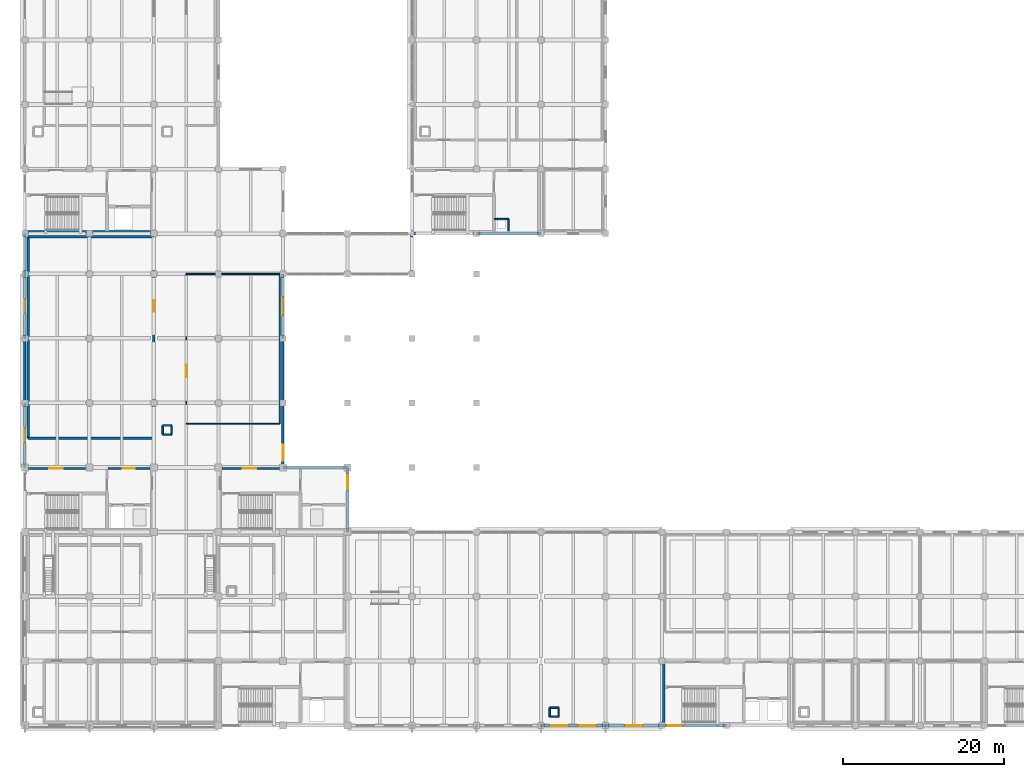
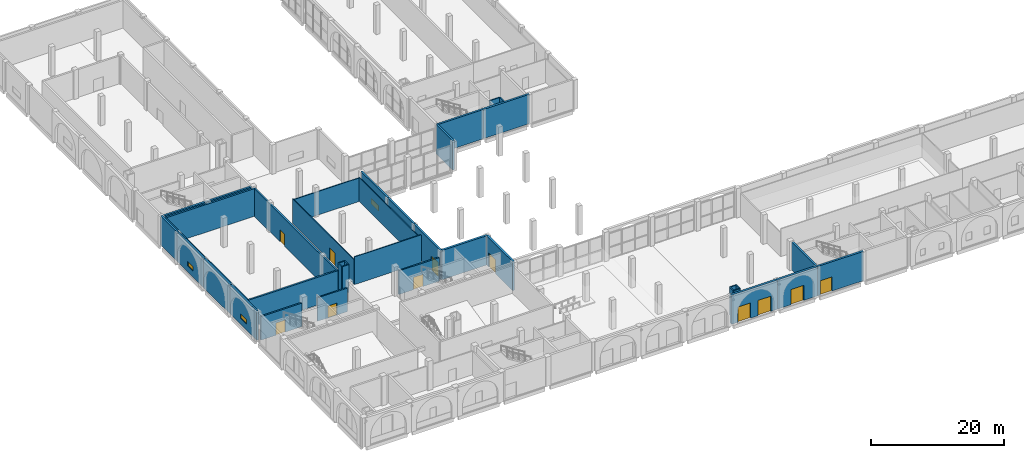
# One storey, part 18 of 40: 38 walls, 11 doors, 3 windows, 14 openings.
"""IFC4 building model written with IfcOpenShell, lengths in metres."""

from ifc_helpers import new_model, si_unit, direction, frame, frame_2d, origin, place, context, subcontext, project, spatial, rectangle, extrude, material, layer, layer_set, type_object, element, fill, save


model = new_model("IFC4")

# Units and contexts
model_context = context("Model", 3, precision=1e-05, world=origin(), true_north=direction((0.0, 1.0)))
body_context = subcontext(model_context, "Body", "Model", "MODEL_VIEW")
ifc_project = project(units=[si_unit("LENGTHUNIT", "METRE"), si_unit("AREAUNIT", "SQUARE_METRE"), si_unit("VOLUMEUNIT", "CUBIC_METRE"), si_unit("PLANEANGLEUNIT", "RADIAN"), si_unit("MASSUNIT", "GRAM", prefix="KILO")], contexts=[model_context])

# Site, building, storey
site_placement = place(None, origin())
site = spatial("IfcSite", under=ifc_project, at=site_placement, CompositionType="ELEMENT")
building_placement = place(site_placement, origin())
building = spatial("IfcBuilding", under=site, at=building_placement, Name="Qorikala Patio Media Centre", CompositionType="ELEMENT")
storey_placement = place(building_placement, origin())
storey = spatial("IfcBuildingStorey", under=building, at=storey_placement, Name="L00", CompositionType="ELEMENT", Elevation=0.0)

# Wall
ifc_material_1 = material(Name="Concrete C35/45", Category="concrete")
ifc_layer_1 = layer(ifc_material_1, 0.300048828125)
ifc_layer_set_1 = layer_set([ifc_layer_1], Name="Concrete C35/45")
wall_type_1 = type_object("IfcWallType", Name="WL-AC-300", PredefinedType="SHEAR", material=ifc_layer_set_1)
wall_1_placement = place(storey_placement, frame((3.39990234375, 38.60009765625, 0.0), z_axis=(0.0, 0.0, 1.0), x_axis=(1.0, 0.0, 0.0)))
element("IfcWall", 1, at=wall_1_placement, inside=storey, type_object=wall_type_1, Name="L00 Interior Wall WINT-L00-CSCR-S", PredefinedType="SHEAR", context=body_context, shape_type="SweptSolid", body=[
    extrude(rectangle(XDim=15.60009765625, YDim=0.300048828125, at=frame_2d((7.800048828125, 0.0))), origin(), (0.0, 0.0, 1.0), 5.10009765625),
])

# Wall, opening, door
wall_2_placement = place(storey_placement, frame((19.0, 38.60009765625, 0.0), z_axis=(0.0, 0.0, 1.0), x_axis=(0.0, 1.0, 0.0)))
wall_2 = element("IfcWall", 2, at=wall_2_placement, inside=storey, type_object=wall_type_1, Name="L00 Interior Wall WINT-L00-CSCR-E", PredefinedType="SHEAR", context=body_context, shape_type="SweptSolid", body=[
    extrude(rectangle(XDim=25.0, YDim=0.300048828125, at=frame_2d((12.5, 0.0))), origin(), (0.0, 0.0, 1.0), 5.10009765625),
])
opening_1_placement = place(wall_2_placement, frame((15.708984375, 0.0, 0.0)))
opening_1 = element("IfcOpeningElement", 3, at=opening_1_placement, cuts=wall_2, Name="Opening D241", PredefinedType="OPENING", context=body_context, shape_type="SweptSolid", body=[
    extrude(rectangle(XDim=1.39990234375, YDim=2.219970703125, at=frame_2d((0.699951171875, 1.10986328125))), frame((0.0, 0.159912109375, 0.0), z_axis=(0.0, -1.0, 0.0), x_axis=(1.0, 0.0, 0.0)), (0.0, 0.0, 1.0), 0.320068359375),
])
ifc_material_2 = material(Name="Powder-Coated Acoustic Fire Steel", Category="steel")
door_type_1 = type_object("IfcDoorType", Name="DR-FD60-140X222", OperationType="DOUBLE_DOOR_SINGLE_SWING", PredefinedType="DOOR", material=ifc_material_2)
door_1_placement = place(opening_1_placement, origin())
door_1 = element("IfcDoor", 4, at=door_1_placement, inside=storey, type_object=door_type_1, Name="Community Screening Room 1 Door 030", OperationType="DOUBLE_DOOR_SINGLE_SWING", OverallHeight=2.219970703125, OverallWidth=1.39990234375, PredefinedType="DOOR", context=body_context, shape_type="SweptSolid", body=[
    extrude(rectangle(XDim=1.39990234375, YDim=2.219970703125, at=frame_2d((0.699951171875, 1.10986328125))), frame((0.0, 0.02490234375, 0.0), z_axis=(0.0, -1.0, 0.0), x_axis=(1.0, 0.0, 0.0)), (0.0, 0.0, 1.0), 0.050048828125),
])
fill(opening_1, door_1)

# Walls
wall_3_placement = place(storey_placement, frame((3.39990234375, 63.60009765625, 0.0), z_axis=(0.0, 0.0, 1.0), x_axis=(1.0, 0.0, 0.0)))
element("IfcWall", 5, at=wall_3_placement, inside=storey, type_object=wall_type_1, Name="L00 Interior Wall WINT-L00-CSCR-N", PredefinedType="SHEAR", context=body_context, shape_type="SweptSolid", body=[
    extrude(rectangle(XDim=15.60009765625, YDim=0.300048828125, at=frame_2d((7.800048828125, 0.0))), origin(), (0.0, 0.0, 1.0), 5.10009765625),
])
wall_4_placement = place(storey_placement, frame((3.39990234375, 38.60009765625, 0.0), z_axis=(0.0, 0.0, 1.0), x_axis=(0.0, 1.0, 0.0)))
element("IfcWall", 6, at=wall_4_placement, inside=storey, type_object=wall_type_1, Name="L00 Interior Wall WINT-L00-CSCR-W", PredefinedType="SHEAR", context=body_context, shape_type="SweptSolid", body=[
    extrude(rectangle(XDim=25.0, YDim=0.300048828125, at=frame_2d((12.5, 0.0))), origin(), (0.0, 0.0, 1.0), 5.10009765625),
])

# Wall, opening, door
ifc_layer_2 = layer(ifc_material_1, 0.35009765625)
ifc_layer_set_2 = layer_set([ifc_layer_2], Name="Concrete C35/45")
wall_type_2 = type_object("IfcWallType", Name="WL-CORE-350", PredefinedType="SHEAR", material=ifc_layer_set_2)
wall_5_placement = place(storey_placement, frame((90.0, 3.0, 0.0), z_axis=(0.0, 0.0, 1.0), x_axis=(-1.0, 0.0, 0.0)))
wall_5 = element("IfcWall", 7, at=wall_5_placement, inside=storey, type_object=wall_type_2, Name="L00 Core C4 Exterior Shear Wall", PredefinedType="SHEAR", context=body_context, shape_type="SweptSolid", body=[
    extrude(rectangle(XDim=8.0, YDim=0.35009765625, at=frame_2d((4.0, 0.0))), origin(), (0.0, 0.0, 1.0), 5.39990234375),
])
opening_2_placement = place(wall_5_placement, frame((5.449951171875, 0.0, 0.0)))
opening_2 = element("IfcOpeningElement", 8, at=opening_2_placement, cuts=wall_5, Name="Opening D003", PredefinedType="OPENING", context=body_context, shape_type="SweptSolid", body=[
    extrude(rectangle(XDim=2.0, YDim=2.60009765625, at=frame_2d((1.0, 1.300048828125))), frame((0.0, 0.18505859375, 0.0), z_axis=(0.0, -1.0, 0.0), x_axis=(1.0, 0.0, 0.0)), (0.0, 0.0, 1.0), 0.3701171875),
])
ifc_material_3 = material(Name="Bronze Anodised Steel and Glass", Category="steel")
door_type_2 = type_object("IfcDoorType", Name="DR-EX-200X260", OperationType="DOUBLE_DOOR_SINGLE_SWING", PredefinedType="DOOR", material=ifc_material_3)
door_2_placement = place(opening_2_placement, origin())
door_2 = element("IfcDoor", 9, at=door_2_placement, inside=storey, type_object=door_type_2, Name="Pedestrian Final Exit Door EX-03 (ST-4)", OperationType="DOUBLE_DOOR_SINGLE_SWING", OverallHeight=2.60009765625, OverallWidth=2.0, PredefinedType="DOOR", context=body_context, shape_type="SweptSolid", body=[
    extrude(rectangle(XDim=2.0, YDim=2.60009765625, at=frame_2d((1.0, 1.300048828125))), frame((0.0, 0.02490234375, 0.0), z_axis=(0.0, -1.0, 0.0), x_axis=(1.0, 0.0, 0.0)), (0.0, 0.0, 1.0), 0.050048828125),
])
fill(opening_2, door_2)

# Walls
for number, where, z_axis, x_axis, name in (
    (10, (67.0, 64.0, 0.0), (0.0, 0.0, 1.0), (-1.0, 0.0, 0.0), "L00 Core C6 Exterior Shear Wall"),
    (11, (59.0, 64.0, 0.0), (0.0, 0.0, 1.0), (-1.0, 0.0, 0.0), "L00 Core C6 Exterior Shear Wall"),
):
    element("IfcWall", number, at=place(storey_placement, frame(where, z_axis=z_axis, x_axis=x_axis)), inside=storey, type_object=wall_type_2, Name=name, PredefinedType="SHEAR", context=body_context, shape_type="SweptSolid", body=[
        extrude(rectangle(XDim=8.0, YDim=0.35009765625, at=frame_2d((4.0, 0.0))), origin(), (0.0, 0.0, 1.0), 5.39990234375),
    ])
wall_6_placement = place(storey_placement, frame((3.199951171875, 64.22509765625, 0.0), z_axis=(0.0, 0.0, 1.0), x_axis=(1.0, 0.0, 0.0)))
element("IfcWall", 12, at=wall_6_placement, inside=storey, type_object=wall_type_2, Name="L00 Core C3 Stair South Wall", PredefinedType="SHEAR", context=body_context, shape_type="SweptSolid", body=[
    extrude(rectangle(XDim=15.60009765625, YDim=0.35009765625, at=frame_2d((7.800048828125, 0.0))), origin(), (0.0, 0.0, 1.0), 5.10009765625),
])
wall_7_placement = place(storey_placement, frame((82.22509765625, 3.199951171875, 0.0), z_axis=(0.0, 0.0, 1.0), x_axis=(0.0, 1.0, 0.0)))
element("IfcWall", 13, at=wall_7_placement, inside=storey, type_object=wall_type_2, Name="L00 Interior Wall CW-L00-C4-SW", PredefinedType="SHEAR", context=body_context, shape_type="SweptSolid", body=[
    extrude(rectangle(XDim=7.60009765625, YDim=0.35009765625, at=frame_2d((3.800048828125, 0.0))), origin(), (0.0, 0.0, 1.0), 5.10009765625),
])

# Wall, opening, window
ifc_material_4 = material(Name="Ivory Lime Stucco and Concrete C35/45", Category="concrete")
ifc_layer_3 = layer(ifc_material_4, 0.320068359375)
ifc_layer_set_3 = layer_set([ifc_layer_3], Name="Ivory Lime Stucco and Concrete C35/45")
wall_type_3 = type_object("IfcWallType", Name="WL-EXT-320", PredefinedType="SOLIDWALL", material=ifc_layer_set_3)
wall_8_placement = place(storey_placement, frame((3.0, 35.0, 0.0), z_axis=(0.0, 0.0, 1.0), x_axis=(0.0, 1.0, 0.0)))
wall_8 = element("IfcWall", 14, at=wall_8_placement, inside=storey, type_object=wall_type_3, Name="L00 Exterior Wall WL-L00-EXT-0050", PredefinedType="SOLIDWALL", context=body_context, shape_type="SweptSolid", body=[
    extrude(rectangle(XDim=8.0, YDim=0.320068359375, at=frame_2d((4.0, 0.0))), origin(), (0.0, 0.0, 1.0), 5.39990234375),
])
opening_3_placement = place(wall_8_placement, frame((3.10009765625, 0.0, 1.10009765625)))
opening_3 = element("IfcOpeningElement", 15, at=opening_3_placement, cuts=wall_8, Name="Opening WL-180", PredefinedType="OPENING", context=body_context, shape_type="SweptSolid", body=[
    extrude(rectangle(XDim=1.800048828125, YDim=0.85009765625, at=frame_2d((0.89990234375, 0.425048828125))), frame((0.0, 0.169921875, 0.0), z_axis=(0.0, -1.0, 0.0), x_axis=(1.0, 0.0, 0.0)), (0.0, 0.0, 1.0), 0.340087890625),
])
ifc_material_5 = material(Name="Acoustic Laminated Low-E Glass", Category="glass")
window_type_1 = type_object("IfcWindowType", Name="WN-CL-180X085", PartitioningType="SINGLE_PANEL", PredefinedType="WINDOW", material=ifc_material_5)
window_1_placement = place(opening_3_placement, origin())
window_1 = element("IfcWindow", 16, at=window_1_placement, inside=storey, type_object=window_type_1, Name="L00 High Acoustic Clerestory Window 0041", OverallHeight=0.85009765625, OverallWidth=1.800048828125, PartitioningType="SINGLE_PANEL", PredefinedType="WINDOW", context=body_context, shape_type="SweptSolid", body=[
    extrude(rectangle(XDim=1.800048828125, YDim=0.85009765625, at=frame_2d((0.89990234375, 0.425048828125))), frame((0.0, 0.030029296875, 0.0), z_axis=(0.0, -1.0, 0.0), x_axis=(1.0, 0.0, 0.0)), (0.0, 0.0, 1.0), 0.06005859375),
])
fill(opening_3, window_1)

# Wall
wall_9_placement = place(storey_placement, frame((3.0, 43.0, 0.0), z_axis=(0.0, 0.0, 1.0), x_axis=(0.0, 1.0, 0.0)))
element("IfcWall", 17, at=wall_9_placement, inside=storey, type_object=wall_type_3, Name="L00 Exterior Wall WL-L00-EXT-0051", PredefinedType="SOLIDWALL", context=body_context, shape_type="SweptSolid", body=[
    extrude(rectangle(XDim=8.0, YDim=0.320068359375, at=frame_2d((4.0, 0.0))), origin(), (0.0, 0.0, 1.0), 5.39990234375),
])

# Wall, opening, window
wall_10_placement = place(storey_placement, frame((3.0, 51.0, 0.0), z_axis=(0.0, 0.0, 1.0), x_axis=(0.0, 1.0, 0.0)))
wall_10 = element("IfcWall", 18, at=wall_10_placement, inside=storey, type_object=wall_type_3, Name="L00 Exterior Wall WL-L00-EXT-0052", PredefinedType="SOLIDWALL", context=body_context, shape_type="SweptSolid", body=[
    extrude(rectangle(XDim=8.0, YDim=0.320068359375, at=frame_2d((4.0, 0.0))), origin(), (0.0, 0.0, 1.0), 5.39990234375),
])
opening_4_placement = place(wall_10_placement, frame((3.175048828125, 0.0, 1.10009765625)))
opening_4 = element("IfcOpeningElement", 19, at=opening_4_placement, cuts=wall_10, Name="Opening WL-165", PredefinedType="OPENING", context=body_context, shape_type="SweptSolid", body=[
    extrude(rectangle(XDim=1.64990234375, YDim=0.800048828125, at=frame_2d((0.824951171875, 0.39990234375))), frame((0.0, 0.169921875, 0.0), z_axis=(0.0, -1.0, 0.0), x_axis=(1.0, 0.0, 0.0)), (0.0, 0.0, 1.0), 0.340087890625),
])
window_type_2 = type_object("IfcWindowType", Name="WN-CL-165X080", PartitioningType="SINGLE_PANEL", PredefinedType="WINDOW", material=ifc_material_5)
window_2_placement = place(opening_4_placement, origin())
window_2 = element("IfcWindow", 20, at=window_2_placement, inside=storey, type_object=window_type_2, Name="L00 High Acoustic Clerestory Window 0042", OverallHeight=0.800048828125, OverallWidth=1.64990234375, PartitioningType="SINGLE_PANEL", PredefinedType="WINDOW", context=body_context, shape_type="SweptSolid", body=[
    extrude(rectangle(XDim=1.64990234375, YDim=0.800048828125, at=frame_2d((0.824951171875, 0.39990234375))), frame((0.0, 0.030029296875, 0.0), z_axis=(0.0, -1.0, 0.0), x_axis=(1.0, 0.0, 0.0)), (0.0, 0.0, 1.0), 0.06005859375),
])
fill(opening_4, window_2)

# Walls
for number, where, z_axis, x_axis, name in (
    (21, (3.0, 59.0, 0.0), (0.0, 0.0, 1.0), (0.0, 1.0, 0.0), "L00 Exterior Wall WL-L00-EXT-0053"),
    (22, (51.0, 64.0, 0.0), (0.0, 0.0, 1.0), (0.0, -1.0, 0.0), "L00 Exterior Wall WL-L00-EXT-0072"),
):
    element("IfcWall", number, at=place(storey_placement, frame(where, z_axis=z_axis, x_axis=x_axis)), inside=storey, type_object=wall_type_3, Name=name, PredefinedType="SOLIDWALL", context=body_context, shape_type="SweptSolid", body=[
        extrude(rectangle(XDim=5.0, YDim=0.320068359375, at=frame_2d((2.5, 0.0))), origin(), (0.0, 0.0, 1.0), 5.39990234375),
    ])

# Wall, opening, window
wall_11_placement = place(storey_placement, frame((35.0, 59.0, 0.0), z_axis=(0.0, 0.0, 1.0), x_axis=(0.0, -1.0, 0.0)))
wall_11 = element("IfcWall", 23, at=wall_11_placement, inside=storey, type_object=wall_type_3, Name="L00 Exterior Wall WL-L00-EXT-0073", PredefinedType="SOLIDWALL", context=body_context, shape_type="SweptSolid", body=[
    extrude(rectangle(XDim=8.0, YDim=0.320068359375, at=frame_2d((4.0, 0.0))), origin(), (0.0, 0.0, 1.0), 5.39990234375),
])
opening_5_placement = place(wall_11_placement, frame((2.875, 0.0, 1.10009765625)))
opening_5 = element("IfcOpeningElement", 24, at=opening_5_placement, cuts=wall_11, Name="Opening WL-225", PredefinedType="OPENING", context=body_context, shape_type="SweptSolid", body=[
    extrude(rectangle(XDim=2.25, YDim=1.02001953125, at=frame_2d((1.125, 0.510009765625))), frame((0.0, 0.169921875, 0.0), z_axis=(0.0, -1.0, 0.0), x_axis=(1.0, 0.0, 0.0)), (0.0, 0.0, 1.0), 0.340087890625),
])
window_type_3 = type_object("IfcWindowType", Name="WN-CL-225X102", PartitioningType="SINGLE_PANEL", PredefinedType="WINDOW", material=ifc_material_5)
window_3_placement = place(opening_5_placement, origin())
window_3 = element("IfcWindow", 25, at=window_3_placement, inside=storey, type_object=window_type_3, Name="L00 High Acoustic Clerestory Window 0052", OverallHeight=1.02001953125, OverallWidth=2.25, PartitioningType="SINGLE_PANEL", PredefinedType="WINDOW", context=body_context, shape_type="SweptSolid", body=[
    extrude(rectangle(XDim=2.25, YDim=1.02001953125, at=frame_2d((1.125, 0.510009765625))), frame((0.0, 0.030029296875, 0.0), z_axis=(0.0, -1.0, 0.0), x_axis=(1.0, 0.0, 0.0)), (0.0, 0.0, 1.0), 0.06005859375),
])
fill(opening_5, window_3)

# Wall
wall_12_placement = place(storey_placement, frame((35.0, 51.0, 0.0), z_axis=(0.0, 0.0, 1.0), x_axis=(0.0, -1.0, 0.0)))
element("IfcWall", 26, at=wall_12_placement, inside=storey, type_object=wall_type_3, Name="L00 Exterior Wall WL-L00-EXT-0074", PredefinedType="SOLIDWALL", context=body_context, shape_type="SweptSolid", body=[
    extrude(rectangle(XDim=8.0, YDim=0.320068359375, at=frame_2d((4.0, 0.0))), origin(), (0.0, 0.0, 1.0), 5.39990234375),
])

# Wall, opening, door
wall_13_placement = place(storey_placement, frame((35.0, 43.0, 0.0), z_axis=(0.0, 0.0, 1.0), x_axis=(0.0, -1.0, 0.0)))
wall_13 = element("IfcWall", 27, at=wall_13_placement, inside=storey, type_object=wall_type_3, Name="L00 Exterior Wall WL-L00-EXT-0075", PredefinedType="SOLIDWALL", context=body_context, shape_type="SweptSolid", body=[
    extrude(rectangle(XDim=8.0, YDim=0.320068359375, at=frame_2d((4.0, 0.0))), origin(), (0.0, 0.0, 1.0), 5.39990234375),
])
opening_6_placement = place(wall_13_placement, frame((5.199951171875, 0.0, 0.0)))
opening_6 = element("IfcOpeningElement", 28, at=opening_6_placement, cuts=wall_13, Name="Opening D017", PredefinedType="OPENING", context=body_context, shape_type="SweptSolid", body=[
    extrude(rectangle(XDim=2.0, YDim=2.60009765625, at=frame_2d((1.0, 1.300048828125))), frame((0.0, 0.169921875, 0.0), z_axis=(0.0, -1.0, 0.0), x_axis=(1.0, 0.0, 0.0)), (0.0, 0.0, 1.0), 0.340087890625),
])
door_3_placement = place(opening_6_placement, origin())
door_3 = element("IfcDoor", 29, at=door_3_placement, inside=storey, type_object=door_type_2, Name="Main Pedestrian Entrance and Exit Door EX-17", OperationType="DOUBLE_DOOR_SINGLE_SWING", OverallHeight=2.60009765625, OverallWidth=2.0, PredefinedType="DOOR", context=body_context, shape_type="SweptSolid", body=[
    extrude(rectangle(XDim=2.0, YDim=2.60009765625, at=frame_2d((1.0, 1.300048828125))), frame((0.0, 0.02490234375, 0.0), z_axis=(0.0, -1.0, 0.0), x_axis=(1.0, 0.0, 0.0)), (0.0, 0.0, 1.0), 0.050048828125),
])
fill(opening_6, door_3)

ifc_layer_4 = layer(ifc_material_1, 0.25)
ifc_layer_set_4 = layer_set([ifc_layer_4], Name="Concrete C35/45")
wall_type_4 = type_object("IfcWallType", Name="WL-FFL-250", PredefinedType="PARTITIONING", material=ifc_layer_set_4)
wall_14_placement = place(storey_placement, frame((3.449951171875, 34.85009765625, 0.0), z_axis=(0.0, 0.0, 1.0), x_axis=(1.0, 0.0, 0.0)))
wall_14 = element("IfcWall", 30, at=wall_14_placement, inside=storey, type_object=wall_type_4, Name="L00 Interior Wall CW-L00-C2-CN1", PredefinedType="PARTITIONING", context=body_context, shape_type="SweptSolid", body=[
    extrude(rectangle(XDim=7.10009765625, YDim=0.25, at=frame_2d((3.550048828125, 0.0))), origin(), (0.0, 0.0, 1.0), 4.3349609375),
])
opening_7_placement = place(wall_14_placement, frame((2.60009765625, 0.0, 0.0)))
opening_7 = element("IfcOpeningElement", 31, at=opening_7_placement, cuts=wall_14, Name="Opening D062", PredefinedType="OPENING", context=body_context, shape_type="SweptSolid", body=[
    extrude(rectangle(XDim=1.64990234375, YDim=2.25, at=frame_2d((0.824951171875, 1.125))), frame((0.0, 0.135009765625, 0.0), z_axis=(0.0, -1.0, 0.0), x_axis=(1.0, 0.0, 0.0)), (0.0, 0.0, 1.0), 0.27001953125),
])
door_type_3 = type_object("IfcDoorType", Name="DR-FD60-165X225", OperationType="DOUBLE_DOOR_SINGLE_SWING", PredefinedType="DOOR", material=ifc_material_2)
door_4_placement = place(opening_7_placement, frame((1.64990234375, 0.0, 0.0), z_axis=(0.0, 0.0, 1.0), x_axis=(-1.0, 0.0, 0.0)))
door_4 = element("IfcDoor", 32, at=door_4_placement, inside=storey, type_object=door_type_3, Name="L00 Core C2 Vestibule Door", OperationType="DOUBLE_DOOR_SINGLE_SWING", OverallHeight=2.25, OverallWidth=1.64990234375, PredefinedType="DOOR", context=body_context, shape_type="SweptSolid", body=[
    extrude(rectangle(XDim=1.64990234375, YDim=2.25, at=frame_2d((0.824951171875, 1.125))), frame((0.0, 0.02490234375, 0.0), z_axis=(0.0, -1.0, 0.0), x_axis=(1.0, 0.0, 0.0)), (0.0, 0.0, 1.0), 0.050048828125),
])
fill(opening_7, door_4)

wall_15_placement = place(storey_placement, frame((13.300048828125, 34.85009765625, 0.0), z_axis=(0.0, 0.0, 1.0), x_axis=(1.0, 0.0, 0.0)))
wall_15 = element("IfcWall", 33, at=wall_15_placement, inside=storey, type_object=wall_type_4, Name="L00 Interior Wall CW-L00-C2-CN2", PredefinedType="PARTITIONING", context=body_context, shape_type="SweptSolid", body=[
    extrude(rectangle(XDim=5.25, YDim=0.25, at=frame_2d((2.625, 0.0))), origin(), (0.0, 0.0, 1.0), 4.3349609375),
])
opening_8_placement = place(wall_15_placement, frame((1.85009765625, 0.0, 0.0)))
opening_8 = element("IfcOpeningElement", 34, at=opening_8_placement, cuts=wall_15, Name="Opening D063", PredefinedType="OPENING", context=body_context, shape_type="SweptSolid", body=[
    extrude(rectangle(XDim=1.5, YDim=2.199951171875, at=frame_2d((0.75, 1.10009765625))), frame((0.0, 0.135009765625, 0.0), z_axis=(0.0, -1.0, 0.0), x_axis=(1.0, 0.0, 0.0)), (0.0, 0.0, 1.0), 0.27001953125),
])
door_type_4 = type_object("IfcDoorType", Name="DR-FD60-150X220", OperationType="DOUBLE_DOOR_SINGLE_SWING", PredefinedType="DOOR", material=ifc_material_2)
door_5_placement = place(opening_8_placement, origin())
door_5 = element("IfcDoor", 35, at=door_5_placement, inside=storey, type_object=door_type_4, Name="L00 Core C2 Firefighting Lobby Door", OperationType="DOUBLE_DOOR_SINGLE_SWING", OverallHeight=2.199951171875, OverallWidth=1.5, PredefinedType="DOOR", context=body_context, shape_type="SweptSolid", body=[
    extrude(rectangle(XDim=1.5, YDim=2.199951171875, at=frame_2d((0.75, 1.10009765625))), frame((0.0, 0.02490234375, 0.0), z_axis=(0.0, -1.0, 0.0), x_axis=(1.0, 0.0, 0.0)), (0.0, 0.0, 1.0), 0.050048828125),
])
fill(opening_8, door_5)

wall_16_placement = place(storey_placement, frame((27.449951171875, 34.85009765625, 0.0), z_axis=(0.0, 0.0, 1.0), x_axis=(1.0, 0.0, 0.0)))
wall_16 = element("IfcWall", 36, at=wall_16_placement, inside=storey, type_object=wall_type_4, Name="L00 Interior Wall CW-L00-C5-CN1", PredefinedType="PARTITIONING", context=body_context, shape_type="SweptSolid", body=[
    extrude(rectangle(XDim=7.10009765625, YDim=0.25, at=frame_2d((3.550048828125, 0.0))), origin(), (0.0, 0.0, 1.0), 4.3349609375),
])
opening_9_placement = place(wall_16_placement, frame((2.60009765625, 0.0, 0.0)))
opening_9 = element("IfcOpeningElement", 37, at=opening_9_placement, cuts=wall_16, Name="Opening D149", PredefinedType="OPENING", context=body_context, shape_type="SweptSolid", body=[
    extrude(rectangle(XDim=1.64990234375, YDim=2.25, at=frame_2d((0.824951171875, 1.125))), frame((0.0, 0.135009765625, 0.0), z_axis=(0.0, -1.0, 0.0), x_axis=(1.0, 0.0, 0.0)), (0.0, 0.0, 1.0), 0.27001953125),
])
door_6_placement = place(opening_9_placement, frame((1.64990234375, 0.0, 0.0), z_axis=(0.0, 0.0, 1.0), x_axis=(-1.0, 0.0, 0.0)))
door_6 = element("IfcDoor", 38, at=door_6_placement, inside=storey, type_object=door_type_3, Name="L00 Core C5 Vestibule Door", OperationType="DOUBLE_DOOR_SINGLE_SWING", OverallHeight=2.25, OverallWidth=1.64990234375, PredefinedType="DOOR", context=body_context, shape_type="SweptSolid", body=[
    extrude(rectangle(XDim=1.64990234375, YDim=2.25, at=frame_2d((0.824951171875, 1.125))), frame((0.0, 0.02490234375, 0.0), z_axis=(0.0, -1.0, 0.0), x_axis=(1.0, 0.0, 0.0)), (0.0, 0.0, 1.0), 0.050048828125),
])
fill(opening_9, door_6)

# Walls
ifc_material_6 = material(Name="Acoustic Gypsum Stud Partition")
ifc_layer_5 = layer(ifc_material_6, 0.14990234375)
ifc_layer_set_5 = layer_set([ifc_layer_5], Name="Acoustic Gypsum Stud Partition")
wall_type_5 = type_object("IfcWallType", Name="WL-PT-150", PredefinedType="PARTITIONING", material=ifc_layer_set_5)
wall_17_placement = place(storey_placement, frame((23.0, 40.39990234375, 0.0), z_axis=(0.0, 0.0, 1.0), x_axis=(1.0, 0.0, 0.0)))
element("IfcWall", 39, at=wall_17_placement, inside=storey, type_object=wall_type_5, Name="L00 Interior Wall WINT-L00-EXH0-S", PredefinedType="PARTITIONING", context=body_context, shape_type="SweptSolid", body=[
    extrude(rectangle(XDim=11.60009765625, YDim=0.14990234375, at=frame_2d((5.800048828125, 0.0))), origin(), (0.0, 0.0, 1.0), 5.10009765625),
])
wall_18_placement = place(storey_placement, frame((34.60009765625, 40.39990234375, 0.0), z_axis=(0.0, 0.0, 1.0), x_axis=(0.0, 1.0, 0.0)))
element("IfcWall", 40, at=wall_18_placement, inside=storey, type_object=wall_type_5, Name="L00 Interior Wall WINT-L00-EXH0-E", PredefinedType="PARTITIONING", context=body_context, shape_type="SweptSolid", body=[
    extrude(rectangle(XDim=18.60009765625, YDim=0.14990234375, at=frame_2d((9.300048828125, 0.0))), origin(), (0.0, 0.0, 1.0), 4.405029296875),
])
wall_19_placement = place(storey_placement, frame((23.0, 59.0, 0.0), z_axis=(0.0, 0.0, 1.0), x_axis=(1.0, 0.0, 0.0)))
element("IfcWall", 41, at=wall_19_placement, inside=storey, type_object=wall_type_5, Name="L00 Interior Wall WINT-L00-EXH0-N", PredefinedType="PARTITIONING", context=body_context, shape_type="SweptSolid", body=[
    extrude(rectangle(XDim=11.60009765625, YDim=0.14990234375, at=frame_2d((5.800048828125, 0.0))), origin(), (0.0, 0.0, 1.0), 4.3349609375),
])

# Wall, opening, door
wall_20_placement = place(storey_placement, frame((23.0, 40.39990234375, 0.0), z_axis=(0.0, 0.0, 1.0), x_axis=(0.0, 1.0, 0.0)))
wall_20 = element("IfcWall", 42, at=wall_20_placement, inside=storey, type_object=wall_type_5, Name="L00 Interior Wall WINT-L00-EXH0-W", PredefinedType="PARTITIONING", context=body_context, shape_type="SweptSolid", body=[
    extrude(rectangle(XDim=18.60009765625, YDim=0.14990234375, at=frame_2d((9.300048828125, 0.0))), origin(), (0.0, 0.0, 1.0), 4.534912109375),
])
opening_10_placement = place(wall_20_placement, frame((5.799072265625, 0.0, 0.0)))
opening_10 = element("IfcOpeningElement", 43, at=opening_10_placement, cuts=wall_20, Name="Opening D242", PredefinedType="OPENING", context=body_context, shape_type="SweptSolid", body=[
    extrude(rectangle(XDim=1.550048828125, YDim=2.25, at=frame_2d((0.77490234375, 1.125))), frame((0.0, 0.0849609375, 0.0), z_axis=(0.0, -1.0, 0.0), x_axis=(1.0, 0.0, 0.0)), (0.0, 0.0, 1.0), 0.169921875),
])
ifc_material_7 = material(Name="Solid Andean Cedar Timber", Category="wood")
door_type_5 = type_object("IfcDoorType", Name="DR-IN-155X225", OperationType="DOUBLE_DOOR_SINGLE_SWING", PredefinedType="DOOR", material=ifc_material_7)
door_7_placement = place(opening_10_placement, origin())
door_7 = element("IfcDoor", 44, at=door_7_placement, inside=storey, type_object=door_type_5, Name="Cinema History Exhibition Gallery Door 031", OperationType="DOUBLE_DOOR_SINGLE_SWING", OverallHeight=2.25, OverallWidth=1.550048828125, PredefinedType="DOOR", context=body_context, shape_type="SweptSolid", body=[
    extrude(rectangle(XDim=1.550048828125, YDim=2.25, at=frame_2d((0.77490234375, 1.125))), frame((0.0, 0.02490234375, 0.0), z_axis=(0.0, -1.0, 0.0), x_axis=(1.0, 0.0, 0.0)), (0.0, 0.0, 1.0), 0.050048828125),
])
fill(opening_10, door_7)

# Walls
ifc_material_8 = material(Name="Acoustic Masonry and Plaster Concrete C30/37", Category="masonry")
ifc_layer_6 = layer(ifc_material_8, 0.199951171875)
ifc_layer_set_6 = layer_set([ifc_layer_6], Name="Acoustic Masonry and Plaster Concrete C30/37")
wall_type_6 = type_object("IfcWallType", Name="WL-ST-200", PredefinedType="PARTITIONING", material=ifc_layer_set_6)
wall_21_placement = place(storey_placement, frame((61.199951171875, 65.800048828125, 0.0), z_axis=(0.0, 0.0, 1.0), x_axis=(1.0, 0.0, 0.0)))
element("IfcWall", 45, at=wall_21_placement, inside=storey, type_object=wall_type_6, Name="L00 Interior Wall CW-L00-C6-RSN", PredefinedType="PARTITIONING", context=body_context, shape_type="SweptSolid", body=[
    extrude(rectangle(XDim=1.800048828125, YDim=0.199951171875, at=frame_2d((0.89990234375, 0.0))), origin(), (0.0, 0.0, 1.0), 5.10009765625),
])
wall_22_placement = place(storey_placement, frame((63.0, 64.35009765625, 0.0), z_axis=(0.0, 0.0, 1.0), x_axis=(0.0, 1.0, 0.0)))
element("IfcWall", 46, at=wall_22_placement, inside=storey, type_object=wall_type_6, Name="L00 Interior Wall CW-L00-C6-RSE", PredefinedType="PARTITIONING", context=body_context, shape_type="SweptSolid", body=[
    extrude(rectangle(XDim=1.449951171875, YDim=0.199951171875, at=frame_2d((0.72509765625, 0.0))), origin(), (0.0, 0.0, 1.0), 5.10009765625),
])
for number, where, z_axis, x_axis, name in (
    (47, (68.10009765625, 4.10009765625, 0.0), (0.0, 0.0, 1.0), (1.0, 0.0, 0.0), "L00 Interior Wall RSW-2-L00-S"),
    (48, (68.10009765625, 5.199951171875, 0.0), (0.0, 0.0, 1.0), (1.0, 0.0, 0.0), "L00 Interior Wall RSW-2-L00-N"),
    (49, (68.10009765625, 4.10009765625, 0.0), (0.0, 0.0, 1.0), (0.0, 1.0, 0.0), "L00 Interior Wall RSW-2-L00-W"),
    (50, (69.199951171875, 4.10009765625, 0.0), (0.0, 0.0, 1.0), (0.0, 1.0, 0.0), "L00 Interior Wall RSW-2-L00-E"),
    (51, (20.10009765625, 39.10009765625, 0.0), (0.0, 0.0, 1.0), (1.0, 0.0, 0.0), "L00 Interior Wall RSW-3-L00-S"),
    (52, (20.10009765625, 40.199951171875, 0.0), (0.0, 0.0, 1.0), (1.0, 0.0, 0.0), "L00 Interior Wall RSW-3-L00-N"),
    (53, (20.10009765625, 39.10009765625, 0.0), (0.0, 0.0, 1.0), (0.0, 1.0, 0.0), "L00 Interior Wall RSW-3-L00-W"),
    (54, (21.199951171875, 39.10009765625, 0.0), (0.0, 0.0, 1.0), (0.0, 1.0, 0.0), "L00 Interior Wall RSW-3-L00-E"),
):
    element("IfcWall", number, at=place(storey_placement, frame(where, z_axis=z_axis, x_axis=x_axis)), inside=storey, type_object=wall_type_6, Name=name, PredefinedType="PARTITIONING", context=body_context, shape_type="SweptSolid", body=[
        extrude(rectangle(XDim=1.099853515625, YDim=0.199951171875, at=frame_2d((0.5498046875, 0.0))), origin(), (0.0, 0.0, 1.0), 5.10009765625),
    ])

# Wall, opening, door
ifc_material_9 = material(Name="Comanche Granite and Concrete C35/45", Category="masonry")
ifc_layer_7 = layer(ifc_material_9, 0.3798828125)
ifc_layer_set_7 = layer_set([ifc_layer_7], Name="Comanche Granite and Concrete C35/45")
wall_type_7 = type_object("IfcWallType", Name="WL-STONE-380", PredefinedType="SOLIDWALL", material=ifc_layer_set_7)
wall_23_placement = place(storey_placement, frame((82.0, 3.0, 0.0), z_axis=(0.0, 0.0, 1.0), x_axis=(-1.0, 0.0, 0.0)))
wall_23 = element("IfcWall", 55, at=wall_23_placement, inside=storey, type_object=wall_type_7, Name="L00 Exterior Wall WL-L00-EXT-0036", PredefinedType="SOLIDWALL", context=body_context, shape_type="SweptSolid", body=[
    extrude(rectangle(XDim=7.0, YDim=0.3798828125, at=frame_2d((3.5, 0.0))), origin(), (0.0, 0.0, 1.0), 5.39990234375),
])
opening_11_placement = place(wall_23_placement, frame((2.39990234375, 0.0, 0.0)))
opening_11 = element("IfcOpeningElement", 56, at=opening_11_placement, cuts=wall_23, Name="Opening D004", PredefinedType="OPENING", context=body_context, shape_type="SweptSolid", body=[
    extrude(rectangle(XDim=2.199951171875, YDim=2.800048828125, at=frame_2d((1.10009765625, 1.39990234375))), frame((0.0, 0.199951171875, 0.0), z_axis=(0.0, -1.0, 0.0), x_axis=(1.0, 0.0, 0.0)), (0.0, 0.0, 1.0), 0.39990234375),
])
door_type_6 = type_object("IfcDoorType", Name="DR-EX-220X280", OperationType="DOUBLE_DOOR_SINGLE_SWING", PredefinedType="DOOR", material=ifc_material_3)
door_8_placement = place(opening_11_placement, origin())
door_8 = element("IfcDoor", 57, at=door_8_placement, inside=storey, type_object=door_type_6, Name="Main Pedestrian Entrance and Exit Door EX-04", OperationType="DOUBLE_DOOR_SINGLE_SWING", OverallHeight=2.800048828125, OverallWidth=2.199951171875, PredefinedType="DOOR", context=body_context, shape_type="SweptSolid", body=[
    extrude(rectangle(XDim=2.199951171875, YDim=2.800048828125, at=frame_2d((1.10009765625, 1.39990234375))), frame((0.0, 0.02490234375, 0.0), z_axis=(0.0, -1.0, 0.0), x_axis=(1.0, 0.0, 0.0)), (0.0, 0.0, 1.0), 0.050048828125),
])
fill(opening_11, door_8)

# Wall, openings, doors
wall_24_placement = place(storey_placement, frame((75.0, 3.0, 0.0), z_axis=(0.0, 0.0, 1.0), x_axis=(-1.0, 0.0, 0.0)))
wall_24 = element("IfcWall", 58, at=wall_24_placement, inside=storey, type_object=wall_type_7, Name="L00 Exterior Wall WL-L00-EXT-0037", PredefinedType="SOLIDWALL", context=body_context, shape_type="SweptSolid", body=[
    extrude(rectangle(XDim=8.0, YDim=0.3798828125, at=frame_2d((4.0, 0.0))), origin(), (0.0, 0.0, 1.0), 5.39990234375),
])
opening_12_placement = place(wall_24_placement, frame((1.14990234375, 0.0, 0.0)))
opening_12 = element("IfcOpeningElement", 59, at=opening_12_placement, cuts=wall_24, Name="Opening D005", PredefinedType="OPENING", context=body_context, shape_type="SweptSolid", body=[
    extrude(rectangle(XDim=2.199951171875, YDim=2.800048828125, at=frame_2d((1.10009765625, 1.39990234375))), frame((0.0, 0.199951171875, 0.0), z_axis=(0.0, -1.0, 0.0), x_axis=(1.0, 0.0, 0.0)), (0.0, 0.0, 1.0), 0.39990234375),
])
opening_13_placement = place(wall_24_placement, frame((4.64990234375, 0.0, 0.0)))
opening_13 = element("IfcOpeningElement", 60, at=opening_13_placement, cuts=wall_24, Name="Opening D006", PredefinedType="OPENING", context=body_context, shape_type="SweptSolid", body=[
    extrude(rectangle(XDim=2.199951171875, YDim=2.800048828125, at=frame_2d((1.10009765625, 1.39990234375))), frame((0.0, 0.199951171875, 0.0), z_axis=(0.0, -1.0, 0.0), x_axis=(1.0, 0.0, 0.0)), (0.0, 0.0, 1.0), 0.39990234375),
])
door_9_placement = place(opening_12_placement, origin())
door_9 = element("IfcDoor", 61, at=door_9_placement, inside=storey, type_object=door_type_6, Name="Main Pedestrian Entrance and Exit Door EX-05", OperationType="DOUBLE_DOOR_SINGLE_SWING", OverallHeight=2.800048828125, OverallWidth=2.199951171875, PredefinedType="DOOR", context=body_context, shape_type="SweptSolid", body=[
    extrude(rectangle(XDim=2.199951171875, YDim=2.800048828125, at=frame_2d((1.10009765625, 1.39990234375))), frame((0.0, 0.02490234375, 0.0), z_axis=(0.0, -1.0, 0.0), x_axis=(1.0, 0.0, 0.0)), (0.0, 0.0, 1.0), 0.050048828125),
])
fill(opening_12, door_9)
door_10_placement = place(opening_13_placement, origin())
door_10 = element("IfcDoor", 62, at=door_10_placement, inside=storey, type_object=door_type_6, Name="Main Pedestrian Entrance and Exit Door EX-06", OperationType="DOUBLE_DOOR_SINGLE_SWING", OverallHeight=2.800048828125, OverallWidth=2.199951171875, PredefinedType="DOOR", context=body_context, shape_type="SweptSolid", body=[
    extrude(rectangle(XDim=2.199951171875, YDim=2.800048828125, at=frame_2d((1.10009765625, 1.39990234375))), frame((0.0, 0.02490234375, 0.0), z_axis=(0.0, -1.0, 0.0), x_axis=(1.0, 0.0, 0.0)), (0.0, 0.0, 1.0), 0.050048828125),
])
fill(opening_13, door_10)

# Wall
wall_25_placement = place(storey_placement, frame((35.0, 35.0, 0.0), z_axis=(0.0, 0.0, 1.0), x_axis=(1.0, 0.0, 0.0)))
element("IfcWall", 63, at=wall_25_placement, inside=storey, type_object=wall_type_7, Name="L00 Core C5 Exterior Shear Wall", PredefinedType="SOLIDWALL", context=body_context, shape_type="SweptSolid", body=[
    extrude(rectangle(XDim=8.0, YDim=0.3798828125, at=frame_2d((4.0, 0.0))), origin(), (0.0, 0.0, 1.0), 5.39990234375),
])

# Wall, opening, door
wall_26_placement = place(storey_placement, frame((43.0, 35.0, 0.0), z_axis=(0.0, 0.0, 1.0), x_axis=(0.0, -1.0, 0.0)))
wall_26 = element("IfcWall", 64, at=wall_26_placement, inside=storey, type_object=wall_type_7, Name="L00 Core C5 Exterior Shear Wall", PredefinedType="SOLIDWALL", context=body_context, shape_type="SweptSolid", body=[
    extrude(rectangle(XDim=8.0, YDim=0.3798828125, at=frame_2d((4.0, 0.0))), origin(), (0.0, 0.0, 1.0), 5.39990234375),
])
opening_14_placement = place(wall_26_placement, frame((0.800048828125, 0.0, 0.0)))
opening_14 = element("IfcOpeningElement", 65, at=opening_14_placement, cuts=wall_26, Name="Opening D018", PredefinedType="OPENING", context=body_context, shape_type="SweptSolid", body=[
    extrude(rectangle(XDim=2.0, YDim=2.60009765625, at=frame_2d((1.0, 1.300048828125))), frame((0.0, 0.199951171875, 0.0), z_axis=(0.0, -1.0, 0.0), x_axis=(1.0, 0.0, 0.0)), (0.0, 0.0, 1.0), 0.39990234375),
])
door_11_placement = place(opening_14_placement, origin())
door_11 = element("IfcDoor", 66, at=door_11_placement, inside=storey, type_object=door_type_2, Name="Pedestrian Final Exit Door EX-18 (ST-5)", OperationType="DOUBLE_DOOR_SINGLE_SWING", OverallHeight=2.60009765625, OverallWidth=2.0, PredefinedType="DOOR", context=body_context, shape_type="SweptSolid", body=[
    extrude(rectangle(XDim=2.0, YDim=2.60009765625, at=frame_2d((1.0, 1.300048828125))), frame((0.0, 0.02490234375, 0.0), z_axis=(0.0, -1.0, 0.0), x_axis=(1.0, 0.0, 0.0)), (0.0, 0.0, 1.0), 0.050048828125),
])
fill(opening_14, door_11)

save(model, "model.ifc")
